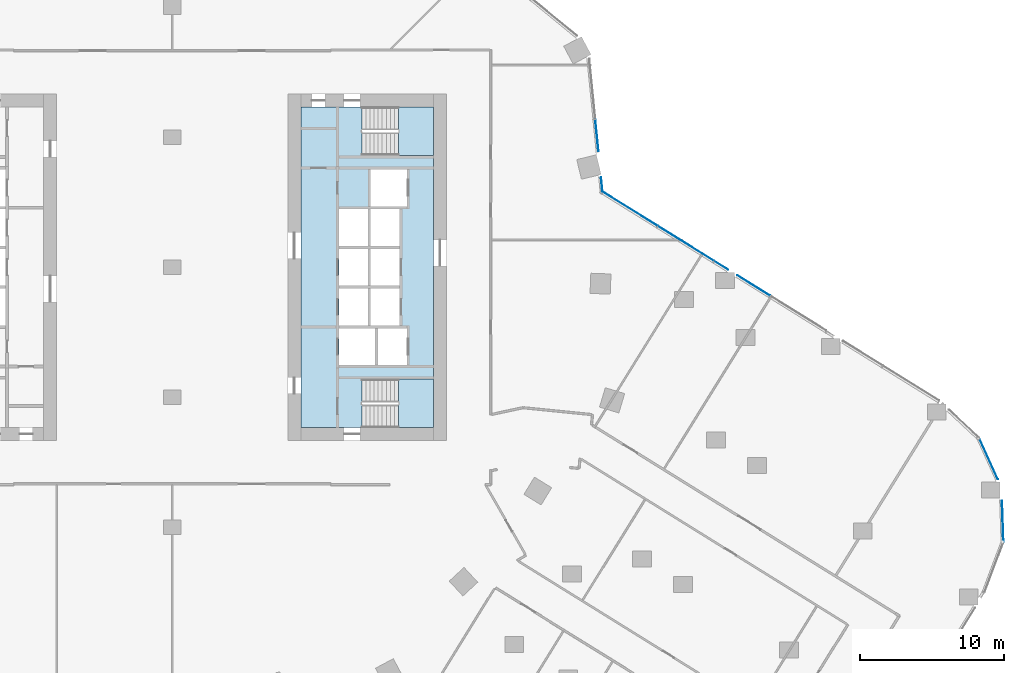
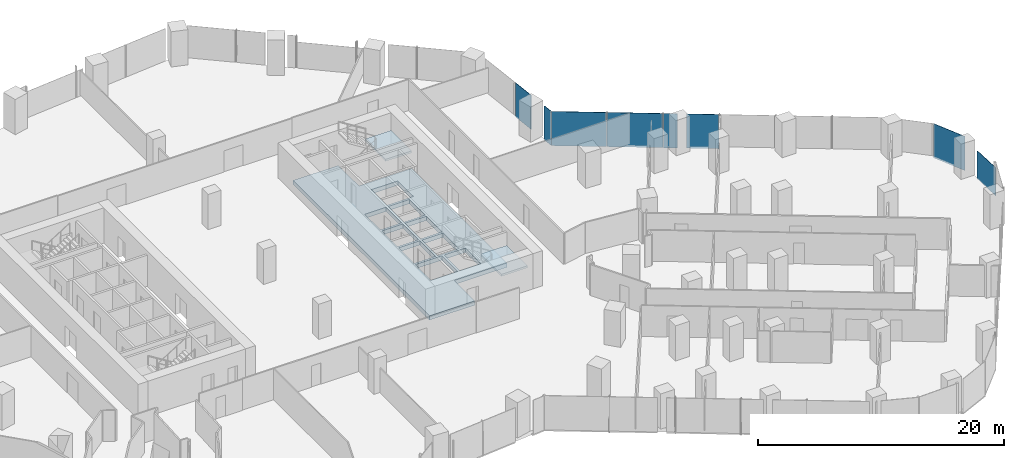
# One storey, part 23 of 33: 8 plates, 3 slabs, 6 elements without a shape of their own.
"""IFC4 building model written with IfcOpenShell, lengths in metres."""

from ifc_helpers import new_model, si_unit, direction, frame, origin, origin_2d, place, context, subcontext, project, spatial, polyline, rectangle, outline, extrude, material, layer, layer_set, type_object, element, aggregate, save


model = new_model("IFC4")

# Units and contexts
model_context = context("Model", 3, precision=1e-05, world=origin(), true_north=direction((0.0, 1.0)))
body_context = subcontext(model_context, "Body", "Model", "MODEL_VIEW")
ifc_project = project(units=[si_unit("LENGTHUNIT", "METRE"), si_unit("AREAUNIT", "SQUARE_METRE"), si_unit("VOLUMEUNIT", "CUBIC_METRE"), si_unit("PLANEANGLEUNIT", "RADIAN"), si_unit("MASSUNIT", "GRAM", prefix="KILO")], contexts=[model_context])

# Site, building, storey
site_placement = place(None, origin())
site = spatial("IfcSite", under=ifc_project, at=site_placement, CompositionType="ELEMENT")
building_placement = place(site_placement, origin())
building = spatial("IfcBuilding", under=site, at=building_placement, Name="Orlundy Tower", CompositionType="ELEMENT")
storey_placement = place(building_placement, frame((0.0, 0.0, 51.300048828125)))
storey = spatial("IfcBuildingStorey", under=building, at=storey_placement, Name="L11", CompositionType="ELEMENT", Elevation=51.300048828125)

# Curtain wall, plates
ifc_material_1 = material(Name="Aluminium bronze anodised", Category="aluminium")
curtain_wall_type = type_object("IfcCurtainWallType", Name="CW1 wall", PredefinedType="NOTDEFINED", material=ifc_material_1)
curtain_wall_1_placement = place(storey_placement, origin())
curtain_wall_1 = element("IfcCurtainWall", 1, at=curtain_wall_1_placement, inside=storey, type_object=curtain_wall_type, Name="CW1 run 05", PredefinedType="NOTDEFINED")
ifc_material_2 = material(Name="Tinted glass", Category="glass")
ifc_layer_1 = layer(ifc_material_2, 0.031982421875)
ifc_layer_set_1 = layer_set([ifc_layer_1], Name="CW1 glass panel 32")
plate_type = type_object("IfcPlateType", Name="CW1 glass panel 32", PredefinedType="CURTAIN_PANEL", material=ifc_layer_set_1)
plate_1_placement = place(storey_placement, frame((29.40625, 9.1259765625, -0.300048828125), z_axis=(0.0, 0.0, 1.0), x_axis=(0.098758968204, -0.995111383815, 0.0)))
plate_1 = element("IfcPlate", 2, at=plate_1_placement, type_object=plate_type, Name="CW1 panel", PredefinedType="CURTAIN_PANEL", context=body_context, shape_type="SweptSolid", body=[
    extrude(rectangle(XDim=2.210205078125, YDim=0.031982421875, at=origin_2d()), origin(), (0.0, 0.0, 1.0), 3.39990234375),
])
plate_2_placement = place(storey_placement, frame((29.74365234375, 5.72802734375, -0.300048828125), z_axis=(0.0, 0.0, 1.0), x_axis=(0.098758968204, -0.995111383815, 0.0)))
plate_2 = element("IfcPlate", 3, at=plate_2_placement, type_object=plate_type, Name="CW1 panel", PredefinedType="CURTAIN_PANEL", context=body_context, shape_type="SweptSolid", body=[
    extrude(rectangle(XDim=0.9853515625, YDim=0.031982421875, at=origin_2d()), origin(), (0.0, 0.0, 1.0), 3.39990234375),
])
aggregate(curtain_wall_1, [plate_1, plate_2])

curtain_wall_2_placement = place(storey_placement, origin())
curtain_wall_2 = element("IfcCurtainWall", 4, at=curtain_wall_2_placement, inside=storey, type_object=curtain_wall_type, Name="CW1 run 06", PredefinedType="NOTDEFINED")
plate_3_placement = place(storey_placement, frame((31.696533203125, 4.055419921875, -0.300048828125), z_axis=(0.0, 0.0, 1.0), x_axis=(0.849584043137, -0.527453271529, 0.0)))
plate_3 = element("IfcPlate", 5, at=plate_3_placement, type_object=plate_type, Name="CW1 panel", PredefinedType="CURTAIN_PANEL", context=body_context, shape_type="SweptSolid", body=[
    extrude(rectangle(XDim=4.48291015625, YDim=0.031982421875, at=origin_2d()), origin(), (0.0, 0.0, 1.0), 3.39990234375),
])
plate_4_placement = place(storey_placement, frame((35.5712890625, 1.64990234375, -0.300048828125), z_axis=(0.0, 0.0, 1.0), x_axis=(0.849584043137, -0.527453271529, 0.0)))
plate_4 = element("IfcPlate", 6, at=plate_4_placement, type_object=plate_type, Name="CW1 panel", PredefinedType="CURTAIN_PANEL", context=body_context, shape_type="SweptSolid", body=[
    extrude(rectangle(XDim=4.538818359375, YDim=0.031982421875, at=origin_2d()), origin(), (0.0, 0.0, 1.0), 3.39990234375),
])
plate_5_placement = place(storey_placement, frame((38.025390625, 0.126220703125, -0.300048828125), z_axis=(0.0, 0.0, 1.0), x_axis=(0.849584043137, -0.527453271529, 0.0)))
plate_5 = element("IfcPlate", 7, at=plate_5_placement, type_object=plate_type, Name="CW1 panel", PredefinedType="CURTAIN_PANEL", context=body_context, shape_type="SweptSolid", body=[
    extrude(rectangle(XDim=1.138427734375, YDim=0.031982421875, at=origin_2d()), origin(), (0.0, 0.0, 1.0), 3.39990234375),
])
plate_6_placement = place(storey_placement, frame((40.25830078125, -1.260009765625, -0.300048828125), z_axis=(0.0, 0.0, 1.0), x_axis=(0.849584043137, -0.527453271529, 0.0)))
plate_6 = element("IfcPlate", 8, at=plate_6_placement, type_object=plate_type, Name="CW1 panel", PredefinedType="CURTAIN_PANEL", context=body_context, shape_type="SweptSolid", body=[
    extrude(rectangle(XDim=2.68212890625, YDim=0.031982421875, at=origin_2d()), origin(), (0.0, 0.0, 1.0), 3.39990234375),
])
aggregate(curtain_wall_2, [plate_3, plate_4, plate_5, plate_6])

# Curtain wall, plate
curtain_wall_3_placement = place(storey_placement, origin())
curtain_wall_3 = element("IfcCurtainWall", 9, at=curtain_wall_3_placement, inside=storey, type_object=curtain_wall_type, Name="CW1 run 08", PredefinedType="NOTDEFINED")
plate_7_placement = place(storey_placement, frame((56.520751953125, -13.245361328125, -0.300048828125), z_axis=(0.0, 0.0, 1.0), x_axis=(0.413335357608, -0.91057887201, 0.0)))
plate_7 = element("IfcPlate", 10, at=plate_7_placement, type_object=plate_type, Name="CW1 panel", PredefinedType="CURTAIN_PANEL", context=body_context, shape_type="SweptSolid", body=[
    extrude(rectangle(XDim=3.140380859375, YDim=0.031982421875, at=origin_2d()), origin(), (0.0, 0.0, 1.0), 3.39990234375),
])
aggregate(curtain_wall_3, [plate_7])

curtain_wall_4_placement = place(storey_placement, origin())
curtain_wall_4 = element("IfcCurtainWall", 11, at=curtain_wall_4_placement, inside=storey, type_object=curtain_wall_type, Name="CW1 run 09", PredefinedType="NOTDEFINED")
plate_8_placement = place(storey_placement, frame((57.50927734375, -17.59765625, -0.2998046875), z_axis=(0.0, 0.0, 1.0), x_axis=(0.033449557474, -0.99944040698, 0.0)))
plate_8 = element("IfcPlate", 12, at=plate_8_placement, type_object=plate_type, Name="CW1 panel", PredefinedType="CURTAIN_PANEL", context=body_context, shape_type="SweptSolid", body=[
    extrude(rectangle(XDim=2.8466796875, YDim=0.031982421875, at=origin_2d()), origin(), (0.0, 0.0, 1.0), 2.783935546875),
])
aggregate(curtain_wall_4, [plate_8])

# Slab
ifc_material_3 = material(Name="Concrete C50/60", Category="concrete")
ifc_layer_2 = layer(ifc_material_3, 0.419921875)
ifc_layer_set_2 = layer_set([ifc_layer_2], Name="Core Floor Slab 420")
slab_type_1 = type_object("IfcSlabType", Name="Core Floor Slab 420", PredefinedType="FLOOR", material=ifc_layer_set_2)
slab_1_placement = place(storey_placement, frame((0.0, 0.0, -0.420166015625)))
element("IfcSlab", 13, at=slab_1_placement, inside=storey, type_object=slab_type_1, Name="Core floor E10", PredefinedType="FLOOR", context=body_context, shape_type="SweptSolid", body=[
    extrude(outline(polyline([(13.14501953125, -7.75), (13.14501953125, -11.10009765625), (8.89990234375, -11.10009765625), (8.89990234375, 11.10009765625), (13.14501953125, 11.10009765625), (13.14501953125, 7.75), (18.10009765625, 7.75), (18.10009765625, -7.75), (13.14501953125, -7.75)]), holes=[polyline([(16.239990234375, 6.77490234375), (13.739990234375, 6.77490234375), (13.739990234375, 4.22509765625), (16.239990234375, 4.22509765625), (16.239990234375, 6.77490234375)]), polyline([(13.5400390625, 1.47509765625), (13.5400390625, 4.02490234375), (11.5400390625, 4.02490234375), (11.5400390625, 1.47509765625), (13.5400390625, 1.47509765625)]), polyline([(13.739990234375, 1.47509765625), (15.739990234375, 1.47509765625), (15.739990234375, 4.02490234375), (13.739990234375, 4.02490234375), (13.739990234375, 1.47509765625)]), polyline([(11.5400390625, 1.27490234375), (11.5400390625, -1.27490234375), (13.5400390625, -1.27490234375), (13.5400390625, 1.27490234375), (11.5400390625, 1.27490234375)]), polyline([(15.739990234375, 1.27490234375), (13.739990234375, 1.27490234375), (13.739990234375, -1.27490234375), (15.739990234375, -1.27490234375), (15.739990234375, 1.27490234375)]), polyline([(13.5400390625, -4.02490234375), (13.5400390625, -1.47509765625), (11.5400390625, -1.47509765625), (11.5400390625, -4.02490234375), (13.5400390625, -4.02490234375)]), polyline([(13.739990234375, -4.02490234375), (15.739990234375, -4.02490234375), (15.739990234375, -1.47509765625), (13.739990234375, -1.47509765625), (13.739990234375, -4.02490234375)]), polyline([(11.5400390625, -4.22509765625), (11.5400390625, -6.77490234375), (14.0400390625, -6.77490234375), (14.0400390625, -4.22509765625), (11.5400390625, -4.22509765625)]), polyline([(16.239990234375, -4.22509765625), (14.239990234375, -4.22509765625), (14.239990234375, -6.77490234375), (16.239990234375, -6.77490234375), (16.239990234375, -4.22509765625)])]), origin(), (0.0, 0.0, 1.0), 0.420166015625),
])

# Stair, slab
ifc_material_4 = material(Name="Concrete C50/60", Category="concrete")
stair_type = type_object("IfcStairType", Name="Exit Stair 20 risers", PredefinedType="HALF_TURN_STAIR", material=ifc_material_4)
stair_1_placement = place(storey_placement, origin())
stair_1 = element("IfcStair", 14, at=stair_1_placement, inside=storey, type_object=stair_type, Name="L11 Exit Stair ST-E1", PredefinedType="HALF_TURN_STAIR")
ifc_material_5 = material(Name="Concrete C50/60", Category="concrete")
ifc_layer_3 = layer(ifc_material_5, 0.199951171875)
ifc_layer_set_3 = layer_set([ifc_layer_3], Name="Exit Stair Landing")
slab_type_2 = type_object("IfcSlabType", Name="Exit Stair Landing", PredefinedType="LANDING", material=ifc_layer_set_3)
slab_2_placement = place(storey_placement, frame((0.0, 0.0, 1.550048828125)))
slab_2 = element("IfcSlab", 15, at=slab_2_placement, type_object=slab_type_2, Name="ST-E1 landing 1", PredefinedType="LANDING", context=body_context, shape_type="SweptSolid", body=[
    extrude(outline(polyline([(15.659912109375, -11.10009765625), (18.10009765625, -11.10009765625), (18.10009765625, -7.75), (15.659912109375, -7.75), (15.659912109375, -11.10009765625)])), origin(), (0.0, 0.0, 1.0), 0.199951171875),
])
aggregate(stair_1, [slab_2])

stair_2_placement = place(storey_placement, origin())
stair_2 = element("IfcStair", 16, at=stair_2_placement, inside=storey, type_object=stair_type, Name="L11 Exit Stair ST-E2", PredefinedType="HALF_TURN_STAIR")
slab_3_placement = place(storey_placement, frame((0.0, 0.0, 1.550048828125)))
slab_3 = element("IfcSlab", 17, at=slab_3_placement, type_object=slab_type_2, Name="ST-E2 landing 1", PredefinedType="LANDING", context=body_context, shape_type="SweptSolid", body=[
    extrude(outline(polyline([(15.659912109375, 7.75), (18.10009765625, 7.75), (18.10009765625, 11.10009765625), (15.659912109375, 11.10009765625), (15.659912109375, 7.75)])), origin(), (0.0, 0.0, 1.0), 0.199951171875),
])
aggregate(stair_2, [slab_3])

save(model, "model.ifc")
